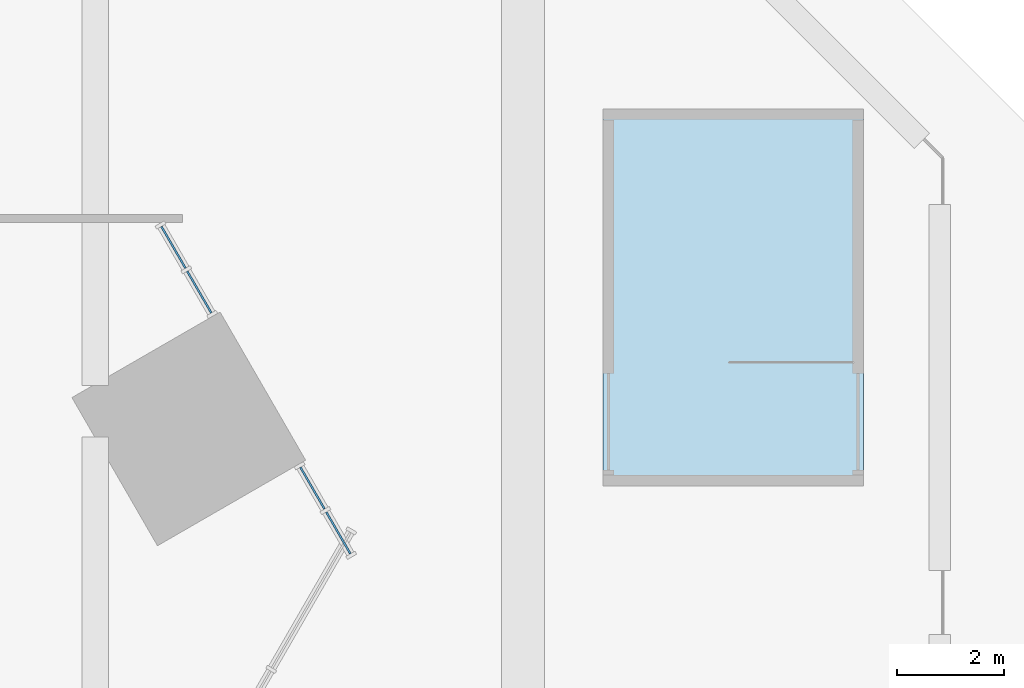
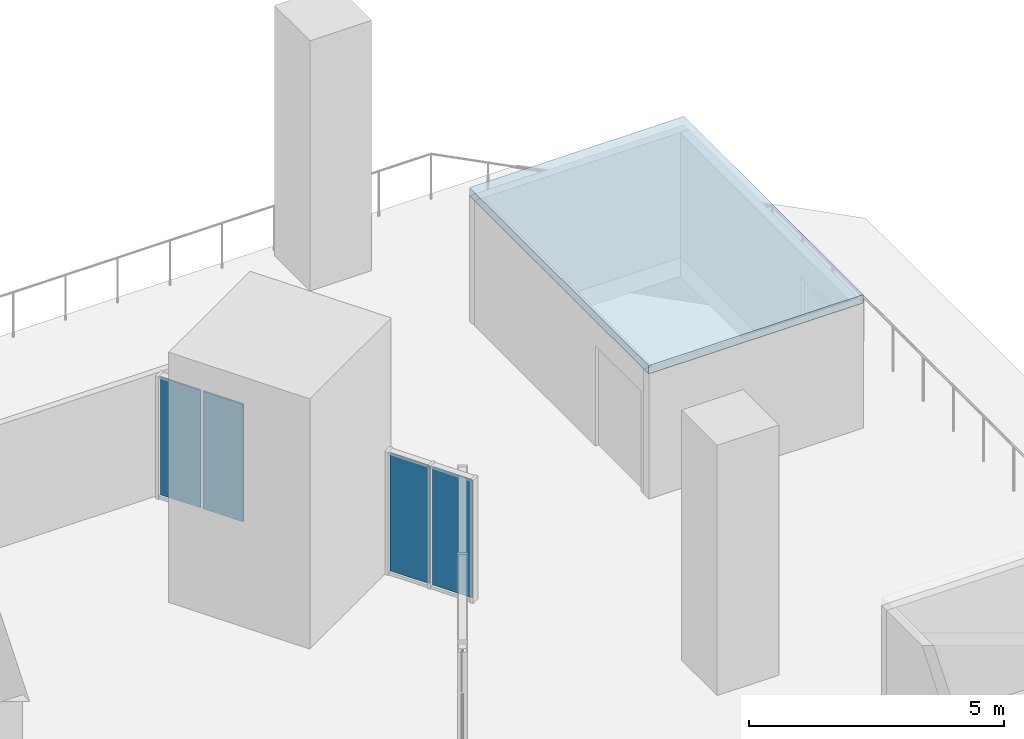
# One storey, part 17 of 25: 4 plates, 1 slab, 2 elements without a shape of their own.
"""IFC4 building model written with IfcOpenShell, lengths in metres."""

from ifc_helpers import new_model, si_unit, direction, frame, origin, origin_2d, place, context, subcontext, project, spatial, polyline, rectangle, outline, extrude, material, layer, layer_set, type_object, element, aggregate, save


model = new_model("IFC4")

# Units and contexts
model_context = context("Model", 3, precision=1e-05, world=origin(), true_north=direction((0.0, 1.0)))
body_context = subcontext(model_context, "Body", "Model", "MODEL_VIEW")
ifc_project = project(units=[si_unit("LENGTHUNIT", "METRE"), si_unit("AREAUNIT", "SQUARE_METRE"), si_unit("VOLUMEUNIT", "CUBIC_METRE"), si_unit("PLANEANGLEUNIT", "RADIAN"), si_unit("MASSUNIT", "GRAM", prefix="KILO")], contexts=[model_context])

# Site, building, storey
site_placement = place(None, origin())
site = spatial("IfcSite", under=ifc_project, at=site_placement, CompositionType="ELEMENT")
building_placement = place(site_placement, origin())
building = spatial("IfcBuilding", under=site, at=building_placement, Name="Calabash Gate Tower", CompositionType="ELEMENT")
storey_placement = place(building_placement, frame((0.0, 0.0, 40.0)))
storey = spatial("IfcBuildingStorey", under=building, at=storey_placement, Name="L05", CompositionType="ELEMENT", Elevation=40.0)

# Curtain wall, plates
ifc_material_1 = material(Name="Anodised aluminium frame, bronze finish, clear laminated impact-rated glazing", Category="aluminium")
curtain_wall_type = type_object("IfcCurtainWallType", Name="Curtain wall CWF podium shopfront", PredefinedType="NOTDEFINED", material=ifc_material_1)
curtain_wall_1_placement = place(storey_placement, origin())
curtain_wall_1 = element("IfcCurtainWall", 1, at=curtain_wall_1_placement, inside=storey, type_object=curtain_wall_type, Name="Curtain wall CWF L05 lobby 3.0.0", PredefinedType="NOTDEFINED")
ifc_material_2 = material(Name="Clear laminated impact-rated glazing", Category="glass")
ifc_layer_1 = layer(ifc_material_2, 0.035888671875)
ifc_layer_set_1 = layer_set([ifc_layer_1], Name="Glass panel CWF 36")
plate_type = type_object("IfcPlateType", Name="Glass panel CWF 36", PredefinedType="CURTAIN_PANEL", material=ifc_layer_set_1)
plate_1_placement = place(storey_placement, frame((28.54736328125, 12.920654296875, 0.06494140625), z_axis=(0.0, 0.0, 1.0), x_axis=(-0.499999991732, 0.866025408558, 0.0)))
plate_1 = element("IfcPlate", 2, at=plate_1_placement, type_object=plate_type, Name="CWF panel 1.1", PredefinedType="CURTAIN_PANEL", context=body_context, shape_type="SweptSolid", body=[
    extrude(rectangle(XDim=0.901611328125, YDim=0.035888671875, at=origin_2d()), origin(), (0.0, 0.0, 1.0), 2.820068359375),
])
plate_2_placement = place(storey_placement, frame((28.064208984375, 13.757568359375, 0.06494140625), z_axis=(0.0, 0.0, 1.0), x_axis=(-0.499999991732, 0.866025408558, 0.0)))
plate_2 = element("IfcPlate", 3, at=plate_2_placement, type_object=plate_type, Name="CWF panel 2.1", PredefinedType="CURTAIN_PANEL", context=body_context, shape_type="SweptSolid", body=[
    extrude(rectangle(XDim=0.901611328125, YDim=0.035888671875, at=origin_2d()), origin(), (0.0, 0.0, 1.0), 2.820068359375),
])
aggregate(curtain_wall_1, [plate_1, plate_2])

curtain_wall_2_placement = place(storey_placement, origin())
curtain_wall_2 = element("IfcCurtainWall", 4, at=curtain_wall_2_placement, inside=storey, type_object=curtain_wall_type, Name="Curtain wall CWF L05 lobby 3.1.0", PredefinedType="NOTDEFINED")
plate_3_placement = place(storey_placement, frame((25.946533203125, 17.42578125, 0.06494140625), z_axis=(0.0, 0.0, 1.0), x_axis=(-0.499999902826, 0.866025459888, 0.0)))
plate_3 = element("IfcPlate", 5, at=plate_3_placement, type_object=plate_type, Name="CWF panel 1.1", PredefinedType="CURTAIN_PANEL", context=body_context, shape_type="SweptSolid", body=[
    extrude(rectangle(XDim=0.9013671875, YDim=0.035888671875, at=origin_2d()), origin(), (0.0, 0.0, 1.0), 2.820068359375),
])
plate_4_placement = place(storey_placement, frame((25.463134765625, 18.2626953125, 0.06494140625), z_axis=(0.0, 0.0, 1.0), x_axis=(-0.499999902826, 0.866025459888, 0.0)))
plate_4 = element("IfcPlate", 6, at=plate_4_placement, type_object=plate_type, Name="CWF panel 2.1", PredefinedType="CURTAIN_PANEL", context=body_context, shape_type="SweptSolid", body=[
    extrude(rectangle(XDim=0.9013671875, YDim=0.035888671875, at=origin_2d()), origin(), (0.0, 0.0, 1.0), 2.820068359375),
])
aggregate(curtain_wall_2, [plate_3, plate_4])

# Slab
ifc_material_3 = material(Name="Concrete C40/50", Category="concrete")
ifc_layer_2 = layer(ifc_material_3, 0.199951171875)
ifc_layer_set_2 = layer_set([ifc_layer_2], Name="Stair head house roof 200")
slab_type = type_object("IfcSlabType", Name="Stair head house roof 200", PredefinedType="ROOF", material=ifc_layer_set_2)
slab_placement = place(storey_placement, frame((0.0, 0.0, 3.0)))
element("IfcSlab", 7, at=slab_placement, inside=storey, type_object=slab_type, Name="Head house roof PS10", PredefinedType="ROOF", context=body_context, shape_type="SweptSolid", body=[
    extrude(outline(polyline([(38.3701171875, 13.800048828125), (33.5, 13.800048828125), (33.5, 20.85009765625), (38.3701171875, 20.85009765625), (38.3701171875, 13.800048828125)])), origin(), (0.0, 0.0, 1.0), 0.199951171875),
])

save(model, "model.ifc")
